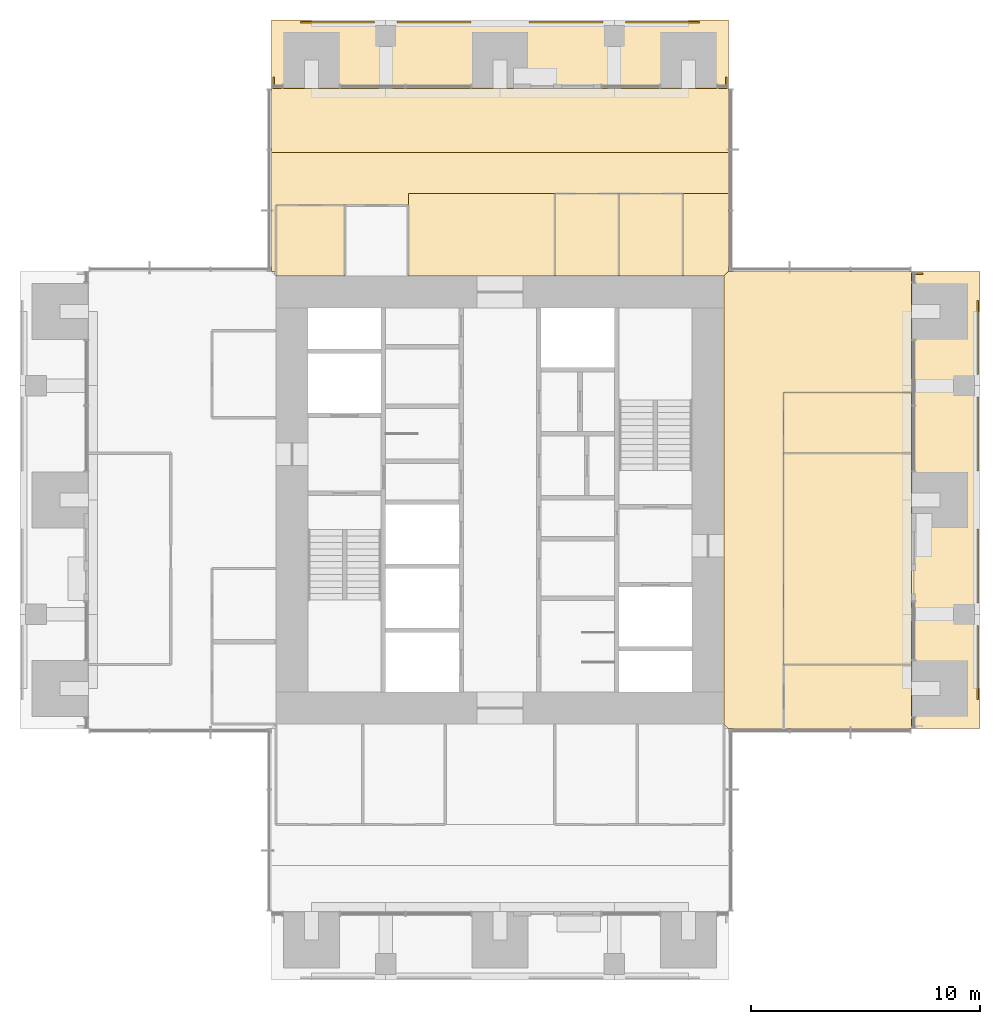
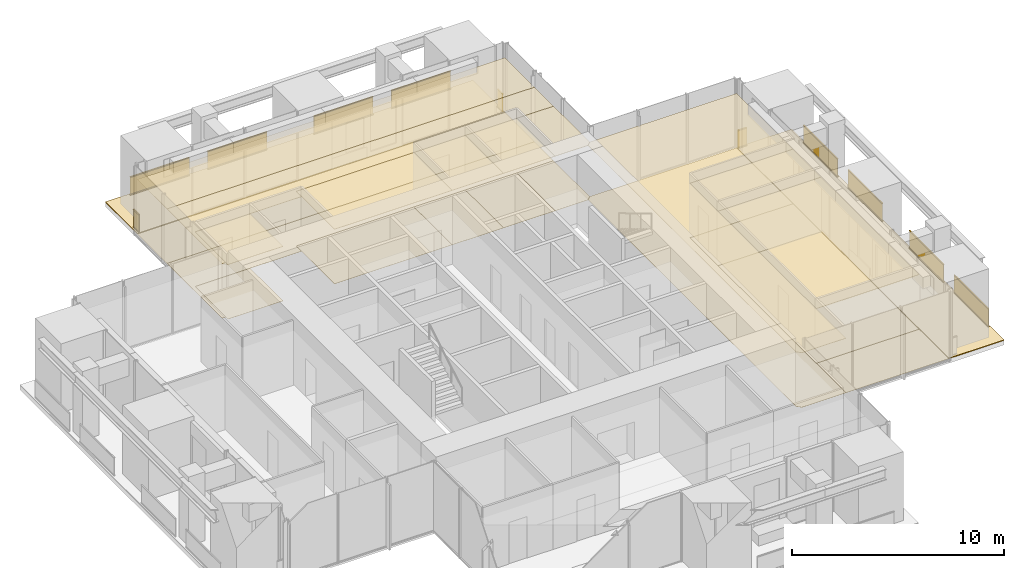
# One storey, part 16 of 17: 23 coverings, 11 railings.
"""IFC4 building model written with IfcOpenShell, lengths in metres."""

from ifc_helpers import new_model, si_unit, direction, frame, origin, origin_2d, place, context, subcontext, project, spatial, polyline, rectangle, outline, extrude, material, layer, layer_set, type_object, element, save


model = new_model("IFC4")

# Units and contexts
model_context = context("Model", 3, precision=1e-05, world=origin(), true_north=direction((0.0, 1.0)))
body_context = subcontext(model_context, "Body", "Model", "MODEL_VIEW")
ifc_project = project(units=[si_unit("LENGTHUNIT", "METRE"), si_unit("AREAUNIT", "SQUARE_METRE"), si_unit("VOLUMEUNIT", "CUBIC_METRE"), si_unit("PLANEANGLEUNIT", "RADIAN"), si_unit("MASSUNIT", "GRAM", prefix="KILO")], contexts=[model_context])

# Site, building, storey
site_placement = place(None, origin())
site = spatial("IfcSite", under=ifc_project, at=site_placement, CompositionType="ELEMENT")
building_placement = place(site_placement, origin())
building = spatial("IfcBuilding", under=site, at=building_placement, Name="Svetlomir Tower", CompositionType="ELEMENT")
storey_placement = place(building_placement, frame((0.0, 0.0, 202.5)))
storey = spatial("IfcBuildingStorey", under=building, at=storey_placement, Name="L48", CompositionType="ELEMENT", Elevation=202.5)

# Railings
ifc_material_1 = material(Name="Bronze anodised aluminium and laminated glass", Category="aluminium")
railing_type = type_object("IfcRailingType", Name="BALCONY GUARD GR1 1100", PredefinedType="GUARDRAIL", material=ifc_material_1)
for number, where, name in (
    (1, (41.89990234375, 12.27490234375, 0.0), "Loggia guard E L48 bay 1"),
    (2, (41.89990234375, 16.5, 0.0), "Loggia guard E L48 bay 2"),
    (3, (41.89990234375, 22.27490234375, 0.0), "Loggia guard E L48 bay 3"),
    (4, (41.89990234375, 26.5, 0.0), "Loggia guard E L48 bay 4"),
):
    element("IfcRailing", number, at=place(storey_placement, frame(where)), inside=storey, type_object=railing_type, Name=name, PredefinedType="GUARDRAIL", context=body_context, shape_type="SweptSolid", body=[
        extrude(rectangle(XDim=0.06005859375, YDim=0.10009765625, at=origin_2d()), frame((0.0, 0.0, 0.050048828125), z_axis=(0.0, 1.0, 0.0), x_axis=(-1.0, 0.0, 0.0)), (0.0, 0.0, 1.0), 3.22509765625),
        extrude(rectangle(XDim=0.021484375, YDim=0.960205078125, at=origin_2d()), frame((0.0, 0.0, 0.580078125), z_axis=(0.0, 1.0, 0.0), x_axis=(-1.0, 0.0, 0.0)), (0.0, 0.0, 1.0), 3.22509765625),
        extrude(rectangle(XDim=0.06005859375, YDim=0.0400390625, at=origin_2d()), frame((0.0, 0.0, 1.080078125), z_axis=(0.0, 1.0, 0.0), x_axis=(-1.0, 0.0, 0.0)), (0.0, 0.0, 1.0), 3.22509765625),
    ])
railing_placement = place(storey_placement, frame((39.5, 30.89990234375, 0.0)))
element("IfcRailing", 5, at=railing_placement, inside=storey, type_object=railing_type, Name="Loggia guard E L48 end 2", PredefinedType="GUARDRAIL", context=body_context, shape_type="SweptSolid", body=[
    extrude(rectangle(XDim=0.06005859375, YDim=0.10009765625, at=origin_2d()), frame((0.0, 0.0, 0.050048828125), z_axis=(-1.0, 0.0, 0.0), x_axis=(0.0, -1.0, 0.0)), (0.0, 0.0, 1.0), 0.5),
    extrude(rectangle(XDim=0.021484375, YDim=0.960205078125, at=origin_2d()), frame((0.0, 0.0, 0.580078125), z_axis=(-1.0, 0.0, 0.0), x_axis=(0.0, -1.0, 0.0)), (0.0, 0.0, 1.0), 0.5),
    extrude(rectangle(XDim=0.06005859375, YDim=0.0400390625, at=origin_2d()), frame((0.0, 0.0, 1.080078125), z_axis=(-1.0, 0.0, 0.0), x_axis=(0.0, -1.0, 0.0)), (0.0, 0.0, 1.0), 0.5),
])
for number, where, name in (
    (6, (12.27490234375, 41.89990234375, 0.0), "Loggia guard N L48 bay 1"),
    (7, (16.5, 41.89990234375, 0.0), "Loggia guard N L48 bay 2"),
    (8, (22.27490234375, 41.89990234375, 0.0), "Loggia guard N L48 bay 3"),
    (9, (26.5, 41.89990234375, 0.0), "Loggia guard N L48 bay 4"),
):
    element("IfcRailing", number, at=place(storey_placement, frame(where)), inside=storey, type_object=railing_type, Name=name, PredefinedType="GUARDRAIL", context=body_context, shape_type="SweptSolid", body=[
        extrude(rectangle(XDim=0.06005859375, YDim=0.10009765625, at=origin_2d()), frame((0.0, 0.0, 0.050048828125), z_axis=(1.0, 0.0, 0.0), x_axis=(0.0, 1.0, 0.0)), (0.0, 0.0, 1.0), 3.22509765625),
        extrude(rectangle(XDim=0.021484375, YDim=0.960205078125, at=origin_2d()), frame((0.0, 0.0, 0.580078125), z_axis=(1.0, 0.0, 0.0), x_axis=(0.0, 1.0, 0.0)), (0.0, 0.0, 1.0), 3.22509765625),
        extrude(rectangle(XDim=0.06005859375, YDim=0.0400390625, at=origin_2d()), frame((0.0, 0.0, 1.080078125), z_axis=(1.0, 0.0, 0.0), x_axis=(0.0, 1.0, 0.0)), (0.0, 0.0, 1.0), 3.22509765625),
    ])
for number, where, name in (
    (10, (11.10009765625, 39.5, 0.0), "Loggia guard N L48 end 1"),
    (11, (30.89990234375, 39.5, 0.0), "Loggia guard N L48 end 2"),
):
    element("IfcRailing", number, at=place(storey_placement, frame(where)), inside=storey, type_object=railing_type, Name=name, PredefinedType="GUARDRAIL", context=body_context, shape_type="SweptSolid", body=[
        extrude(rectangle(XDim=0.06005859375, YDim=0.10009765625, at=origin_2d()), frame((0.0, 0.0, 0.050048828125), z_axis=(0.0, -1.0, 0.0), x_axis=(1.0, 0.0, 0.0)), (0.0, 0.0, 1.0), 0.5),
        extrude(rectangle(XDim=0.021484375, YDim=0.960205078125, at=origin_2d()), frame((0.0, 0.0, 0.580078125), z_axis=(0.0, -1.0, 0.0), x_axis=(1.0, 0.0, 0.0)), (0.0, 0.0, 1.0), 0.5),
        extrude(rectangle(XDim=0.06005859375, YDim=0.0400390625, at=origin_2d()), frame((0.0, 0.0, 1.080078125), z_axis=(0.0, -1.0, 0.0), x_axis=(1.0, 0.0, 0.0)), (0.0, 0.0, 1.0), 0.5),
    ])

# Coverings
ifc_material_2 = material(Name="Granite paving slabs on pedestals", Category="masonry")
ifc_layer_1 = layer(ifc_material_2, 0.0400390625)
ifc_layer_set_1 = layer_set([ifc_layer_1], Name="Granite paving slabs on pedestals")
covering_type_1 = type_object("IfcCoveringType", Name="BALCONY PAVING 40", PredefinedType="USERDEFINED", material=ifc_layer_set_1)
covering_1_placement = place(storey_placement, origin())
element("IfcCovering", 12, at=covering_1_placement, inside=storey, type_object=covering_type_1, Name="Loggia paving E L48", ObjectType="BALCONY PAVING", PredefinedType="USERDEFINED", context=body_context, shape_type="SweptSolid", body=[
    extrude(outline(polyline([(39.0, 11.0), (42.0, 11.0), (42.0, 31.0), (39.0, 31.0), (39.0, 11.0)])), origin(), (0.0, 0.0, 1.0), 0.0400390625),
])
covering_2_placement = place(storey_placement, origin())
element("IfcCovering", 13, at=covering_2_placement, inside=storey, type_object=covering_type_1, Name="Loggia paving N L48", ObjectType="BALCONY PAVING", PredefinedType="USERDEFINED", context=body_context, shape_type="SweptSolid", body=[
    extrude(outline(polyline([(11.0, 39.0), (31.0, 39.0), (31.0, 42.0), (11.0, 42.0), (11.0, 39.0)])), origin(), (0.0, 0.0, 1.0), 0.0400390625),
])
ifc_material_3 = material(Name="Carpet tile", Category="textile")
ifc_layer_2 = layer(ifc_material_3, 0.010009765625)
ifc_layer_set_2 = layer_set([ifc_layer_2], Name="Carpet tile")
covering_type_2 = type_object("IfcCoveringType", Name="CARPET TILE FLOOR 10", PredefinedType="FLOORING", material=ifc_layer_set_2)
covering_3_placement = place(storey_placement, origin())
element("IfcCovering", 14, at=covering_3_placement, inside=storey, type_object=covering_type_2, Name="Floor finish L48-21", PredefinedType="FLOORING", context=body_context, shape_type="SweptSolid", body=[
    extrude(outline(polyline([(33.39990234375, 11.0), (39.0, 11.0), (39.0, 13.800048828125), (33.39990234375, 13.800048828125), (33.39990234375, 11.0)])), origin(), (0.0, 0.0, 1.0), 0.010009765625),
])
covering_4_placement = place(storey_placement, origin())
element("IfcCovering", 15, at=covering_4_placement, inside=storey, type_object=covering_type_2, Name="Floor finish L48-22", PredefinedType="FLOORING", context=body_context, shape_type="SweptSolid", body=[
    extrude(outline(polyline([(33.39990234375, 13.800048828125), (39.0, 13.800048828125), (39.0, 23.050048828125), (33.39990234375, 23.050048828125), (33.39990234375, 13.800048828125)])), origin(), (0.0, 0.0, 1.0), 0.010009765625),
])
covering_5_placement = place(storey_placement, origin())
element("IfcCovering", 16, at=covering_5_placement, inside=storey, type_object=covering_type_2, Name="Floor finish L48-23", PredefinedType="FLOORING", context=body_context, shape_type="SweptSolid", body=[
    extrude(outline(polyline([(33.39990234375, 23.050048828125), (39.0, 23.050048828125), (39.0, 25.699951171875), (33.39990234375, 25.699951171875), (33.39990234375, 23.050048828125)])), origin(), (0.0, 0.0, 1.0), 0.010009765625),
])
covering_6_placement = place(storey_placement, origin())
element("IfcCovering", 17, at=covering_6_placement, inside=storey, type_object=covering_type_2, Name="Floor finish L48-24", PredefinedType="FLOORING", context=body_context, shape_type="SweptSolid", body=[
    extrude(outline(polyline([(11.199951171875, 30.800048828125), (14.199951171875, 30.800048828125), (14.199951171875, 33.89990234375), (11.199951171875, 33.89990234375), (11.199951171875, 30.800048828125)])), origin(), (0.0, 0.0, 1.0), 0.010009765625),
])
covering_7_placement = place(storey_placement, origin())
element("IfcCovering", 18, at=covering_7_placement, inside=storey, type_object=covering_type_2, Name="Floor finish L48-26", PredefinedType="FLOORING", context=body_context, shape_type="SweptSolid", body=[
    extrude(outline(polyline([(23.39990234375, 30.800048828125), (26.199951171875, 30.800048828125), (26.199951171875, 34.39990234375), (23.39990234375, 34.39990234375), (23.39990234375, 30.800048828125)])), origin(), (0.0, 0.0, 1.0), 0.010009765625),
])
covering_8_placement = place(storey_placement, origin())
element("IfcCovering", 19, at=covering_8_placement, inside=storey, type_object=covering_type_2, Name="Floor finish L48-27", PredefinedType="FLOORING", context=body_context, shape_type="SweptSolid", body=[
    extrude(outline(polyline([(26.199951171875, 30.800048828125), (29.0, 30.800048828125), (29.0, 34.39990234375), (26.199951171875, 34.39990234375), (26.199951171875, 30.800048828125)])), origin(), (0.0, 0.0, 1.0), 0.010009765625),
])
covering_9_placement = place(storey_placement, origin())
element("IfcCovering", 20, at=covering_9_placement, inside=storey, type_object=covering_type_2, Name="Floor finish L48-33", PredefinedType="FLOORING", context=body_context, shape_type="SweptSolid", body=[
    extrude(outline(polyline([(11.199951171875, 31.0), (11.0, 31.0), (11.0, 36.199951171875), (31.0, 36.199951171875), (31.0, 34.39990234375), (17.0, 34.39990234375), (17.0, 33.89990234375), (11.199951171875, 33.89990234375), (11.199951171875, 31.0)])), origin(), (0.0, 0.0, 1.0), 0.010009765625),
])
covering_10_placement = place(storey_placement, origin())
element("IfcCovering", 21, at=covering_10_placement, inside=storey, type_object=covering_type_2, Name="Floor finish L48-36", PredefinedType="FLOORING", context=body_context, shape_type="SweptSolid", body=[
    extrude(outline(polyline([(39.0, 31.0), (39.0, 25.699951171875), (33.39990234375, 25.699951171875), (33.39990234375, 11.0), (31.0, 11.0), (30.800048828125, 11.199951171875), (30.800048828125, 30.800048828125), (31.0, 31.0), (39.0, 31.0)])), origin(), (0.0, 0.0, 1.0), 0.010009765625),
])
covering_11_placement = place(storey_placement, origin())
element("IfcCovering", 22, at=covering_11_placement, inside=storey, type_object=covering_type_2, Name="Floor finish L48-37", PredefinedType="FLOORING", context=body_context, shape_type="SweptSolid", body=[
    extrude(outline(polyline([(17.0, 30.800048828125), (17.0, 34.39990234375), (23.39990234375, 34.39990234375), (23.39990234375, 30.800048828125), (17.0, 30.800048828125)])), origin(), (0.0, 0.0, 1.0), 0.010009765625),
])
covering_12_placement = place(storey_placement, origin())
element("IfcCovering", 23, at=covering_12_placement, inside=storey, type_object=covering_type_2, Name="Floor finish L48-38", PredefinedType="FLOORING", context=body_context, shape_type="SweptSolid", body=[
    extrude(outline(polyline([(29.0, 30.800048828125), (29.0, 34.39990234375), (31.0, 34.39990234375), (31.0, 31.0), (30.800048828125, 30.800048828125), (29.0, 30.800048828125)])), origin(), (0.0, 0.0, 1.0), 0.010009765625),
])
covering_13_placement = place(storey_placement, origin())
element("IfcCovering", 24, at=covering_13_placement, inside=storey, type_object=covering_type_2, Name="Floor finish L48-39", PredefinedType="FLOORING", context=body_context, shape_type="SweptSolid", body=[
    extrude(outline(polyline([(31.0, 39.0), (31.0, 36.199951171875), (11.0, 36.199951171875), (11.0, 39.0), (31.0, 39.0)])), origin(), (0.0, 0.0, 1.0), 0.010009765625),
])
ifc_material_4 = material(Name="Mineral fibre ceiling tile", Category="mineral")
ifc_layer_3 = layer(ifc_material_4, 0.02001953125)
ifc_layer_set_3 = layer_set([ifc_layer_3], Name="Mineral fibre ceiling tile")
covering_type_3 = type_object("IfcCoveringType", Name="SUSPENDED CEILING 20", PredefinedType="CEILING", material=ifc_layer_set_3)
covering_14_placement = place(storey_placement, frame((0.0, 0.0, 3.1298828125)))
element("IfcCovering", 25, at=covering_14_placement, inside=storey, type_object=covering_type_3, Name="Ceiling L48-22", PredefinedType="CEILING", context=body_context, shape_type="SweptSolid", body=[
    extrude(outline(polyline([(33.39990234375, 13.800048828125), (39.0, 13.800048828125), (39.0, 23.050048828125), (33.39990234375, 23.050048828125), (33.39990234375, 13.800048828125)])), origin(), (0.0, 0.0, 1.0), 0.02001953125),
])
covering_15_placement = place(storey_placement, frame((0.0, 0.0, 3.1298828125)))
element("IfcCovering", 26, at=covering_15_placement, inside=storey, type_object=covering_type_3, Name="Ceiling L48-23", PredefinedType="CEILING", context=body_context, shape_type="SweptSolid", body=[
    extrude(outline(polyline([(33.39990234375, 23.050048828125), (39.0, 23.050048828125), (39.0, 25.699951171875), (33.39990234375, 25.699951171875), (33.39990234375, 23.050048828125)])), origin(), (0.0, 0.0, 1.0), 0.02001953125),
])
covering_16_placement = place(storey_placement, frame((0.0, 0.0, 3.1298828125)))
element("IfcCovering", 27, at=covering_16_placement, inside=storey, type_object=covering_type_3, Name="Ceiling L48-24", PredefinedType="CEILING", context=body_context, shape_type="SweptSolid", body=[
    extrude(outline(polyline([(11.199951171875, 30.800048828125), (14.199951171875, 30.800048828125), (14.199951171875, 33.89990234375), (11.199951171875, 33.89990234375), (11.199951171875, 30.800048828125)])), origin(), (0.0, 0.0, 1.0), 0.02001953125),
])
covering_17_placement = place(storey_placement, frame((0.0, 0.0, 3.1298828125)))
element("IfcCovering", 28, at=covering_17_placement, inside=storey, type_object=covering_type_3, Name="Ceiling L48-26", PredefinedType="CEILING", context=body_context, shape_type="SweptSolid", body=[
    extrude(outline(polyline([(23.39990234375, 30.800048828125), (26.199951171875, 30.800048828125), (26.199951171875, 34.39990234375), (23.39990234375, 34.39990234375), (23.39990234375, 30.800048828125)])), origin(), (0.0, 0.0, 1.0), 0.02001953125),
])
covering_18_placement = place(storey_placement, frame((0.0, 0.0, 3.1298828125)))
element("IfcCovering", 29, at=covering_18_placement, inside=storey, type_object=covering_type_3, Name="Ceiling L48-27", PredefinedType="CEILING", context=body_context, shape_type="SweptSolid", body=[
    extrude(outline(polyline([(26.199951171875, 30.800048828125), (29.0, 30.800048828125), (29.0, 34.39990234375), (26.199951171875, 34.39990234375), (26.199951171875, 30.800048828125)])), origin(), (0.0, 0.0, 1.0), 0.02001953125),
])
covering_19_placement = place(storey_placement, frame((0.0, 0.0, 3.1298828125)))
element("IfcCovering", 30, at=covering_19_placement, inside=storey, type_object=covering_type_3, Name="Ceiling L48-33", PredefinedType="CEILING", context=body_context, shape_type="SweptSolid", body=[
    extrude(outline(polyline([(11.199951171875, 31.0), (11.0, 31.0), (11.0, 36.199951171875), (31.0, 36.199951171875), (31.0, 34.39990234375), (17.0, 34.39990234375), (17.0, 33.89990234375), (11.199951171875, 33.89990234375), (11.199951171875, 31.0)])), origin(), (0.0, 0.0, 1.0), 0.02001953125),
])
covering_20_placement = place(storey_placement, frame((0.0, 0.0, 3.1298828125)))
element("IfcCovering", 31, at=covering_20_placement, inside=storey, type_object=covering_type_3, Name="Ceiling L48-36", PredefinedType="CEILING", context=body_context, shape_type="SweptSolid", body=[
    extrude(outline(polyline([(39.0, 31.0), (39.0, 25.699951171875), (33.39990234375, 25.699951171875), (33.39990234375, 11.0), (31.0, 11.0), (30.800048828125, 11.199951171875), (30.800048828125, 30.800048828125), (31.0, 31.0), (39.0, 31.0)])), origin(), (0.0, 0.0, 1.0), 0.02001953125),
])
covering_21_placement = place(storey_placement, frame((0.0, 0.0, 3.1298828125)))
element("IfcCovering", 32, at=covering_21_placement, inside=storey, type_object=covering_type_3, Name="Ceiling L48-37", PredefinedType="CEILING", context=body_context, shape_type="SweptSolid", body=[
    extrude(outline(polyline([(17.0, 30.800048828125), (17.0, 34.39990234375), (23.39990234375, 34.39990234375), (23.39990234375, 30.800048828125), (17.0, 30.800048828125)])), origin(), (0.0, 0.0, 1.0), 0.02001953125),
])
covering_22_placement = place(storey_placement, frame((0.0, 0.0, 3.1298828125)))
element("IfcCovering", 33, at=covering_22_placement, inside=storey, type_object=covering_type_3, Name="Ceiling L48-38", PredefinedType="CEILING", context=body_context, shape_type="SweptSolid", body=[
    extrude(outline(polyline([(29.0, 30.800048828125), (29.0, 34.39990234375), (31.0, 34.39990234375), (31.0, 31.0), (30.800048828125, 30.800048828125), (29.0, 30.800048828125)])), origin(), (0.0, 0.0, 1.0), 0.02001953125),
])
covering_23_placement = place(storey_placement, frame((0.0, 0.0, 3.1298828125)))
element("IfcCovering", 34, at=covering_23_placement, inside=storey, type_object=covering_type_3, Name="Ceiling L48-39", PredefinedType="CEILING", context=body_context, shape_type="SweptSolid", body=[
    extrude(outline(polyline([(31.0, 39.0), (31.0, 36.199951171875), (11.0, 36.199951171875), (11.0, 39.0), (31.0, 39.0)])), origin(), (0.0, 0.0, 1.0), 0.02001953125),
])

save(model, "model.ifc")
